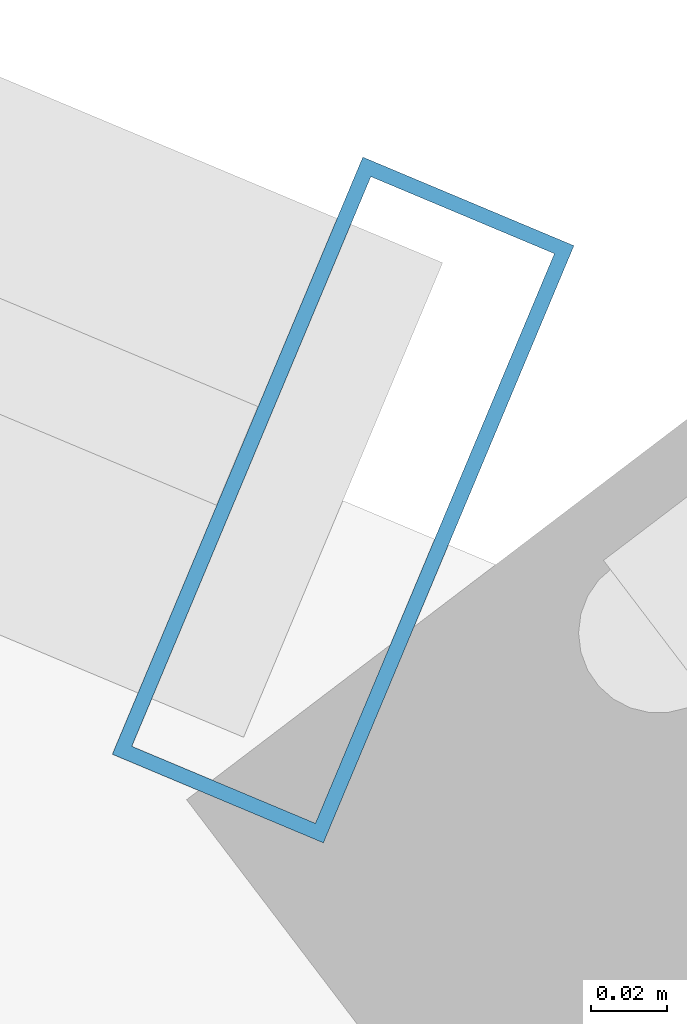
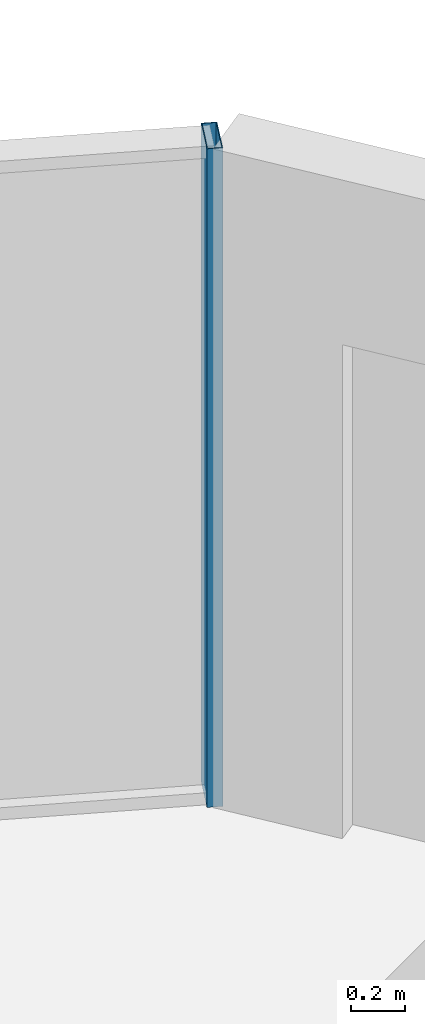
# One storey, part 27 of 33: 1 member, 1 element without a shape of its own.
"""IFC4 building model written with IfcOpenShell, lengths in metres."""

import ifcopenshell
import ifcopenshell.guid

model = None  # the IFC model being written
_history = None  # IfcOwnerHistory: only IFC2X3 demands one
_inside = {}  # id of a spatial element -> (the spatial element, [elements in it])
_under = {}  # id of a project, library or spatial element -> (it, [spatial elements below it])
_declared = {}  # id of a project -> (the project, [libraries it declares])
_typed = {}  # id of a type object -> (the type object, [elements of that type])
_made_of = {}  # id of a material, layer set ... -> (it, [elements and type objects made of it])


def new_model(schema):
    """Start an empty IFC model of exactly this schema.

    Asked for "IFC4X3", IfcOpenShell would pick the latest addendum, in which some entities
    have other attributes; the version numbers below select the first issue.
    IFC2X3 requires an IfcOwnerHistory on every rooted entity: one is made here for all.
    """
    global model, _history
    if schema == "IFC4X3":
        model = ifcopenshell.file(schema_version=(4, 3, 0, 0))
    else:
        model = ifcopenshell.file(schema=schema)
    _inside.clear()
    _under.clear()
    _declared.clear()
    _typed.clear()
    _made_of.clear()
    _history = None
    if model.schema == "IFC2X3":
        org = make("IfcOrganization", Name="unknown")
        user = make(
            "IfcPersonAndOrganization",
            ThePerson=make("IfcPerson", FamilyName="unknown"),
            TheOrganization=org,
        )
        app = make(
            "IfcApplication",
            ApplicationDeveloper=org,
            Version="unknown",
            ApplicationFullName="unknown",
            ApplicationIdentifier="unknown",
        )
        _history = make(
            "IfcOwnerHistory",
            OwningUser=user,
            OwningApplication=app,
            ChangeAction="ADDED",
            CreationDate=0,
        )
    return model


def make(cls, **values):
    """One entity of the class cls with the attributes given. An attribute that is None is left unset."""
    return model.create_entity(
        cls, **{name: value for name, value in values.items() if value is not None}
    )


def rooted(cls, **values):
    """An entity with a GlobalId (a new one), such as an element, a storey or a relation."""
    return make(cls, GlobalId=ifcopenshell.guid.new(), OwnerHistory=_history, **values)


def si_unit(unit_type, name, prefix=None):
    """IfcSIUnit, for example si_unit("LENGTHUNIT", "METRE", prefix="MILLI")."""
    return make("IfcSIUnit", UnitType=unit_type, Prefix=prefix, Name=name)


def assignment(units):
    """IfcUnitAssignment: the units of a project."""
    return None if units is None else make("IfcUnitAssignment", Units=units)


def point(xyz):
    """IfcCartesianPoint."""
    return None if xyz is None else make("IfcCartesianPoint", Coordinates=xyz)


def direction(xyz):
    """IfcDirection."""
    return None if xyz is None else make("IfcDirection", DirectionRatios=xyz)


def frame(location, z_axis=None, x_axis=None):
    """IfcAxis2Placement3D, a coordinate frame: its origin and axes. An axis left out is left unset."""
    return make(
        "IfcAxis2Placement3D",
        Location=point(location),
        Axis=direction(z_axis),
        RefDirection=direction(x_axis),
    )


def frame_2d(location, x_axis=None):
    """IfcAxis2Placement2D, a coordinate frame in the plane: its origin and x axis."""
    return make(
        "IfcAxis2Placement2D", Location=point(location), RefDirection=direction(x_axis)
    )


def origin():
    """The frame at (0, 0, 0) with its axes left unset."""
    return frame((0.0, 0.0, 0.0))


def origin_2d():
    """The frame at (0, 0) in the plane with its x axis left unset."""
    return frame_2d((0.0, 0.0))


def place(relative_to, where):
    """IfcLocalPlacement: puts the frame where relative to a parent placement (None: the world)."""
    return make(
        "IfcLocalPlacement", PlacementRelTo=relative_to, RelativePlacement=where
    )


def context(
    kind, dimensions, precision=None, world=None, true_north=None, identifier=None
):
    """IfcGeometricRepresentationContext, for example the 3D "Model" context."""
    return make(
        "IfcGeometricRepresentationContext",
        ContextIdentifier=identifier,
        ContextType=kind,
        CoordinateSpaceDimension=dimensions,
        Precision=precision,
        WorldCoordinateSystem=world,
        TrueNorth=true_north,
    )


def subcontext(parent, identifier, kind, view, scale=None):
    """IfcGeometricRepresentationSubContext, for example "Body" below "Model"."""
    return make(
        "IfcGeometricRepresentationSubContext",
        ContextIdentifier=identifier,
        ContextType=kind,
        ParentContext=parent,
        TargetScale=scale,
        TargetView=view,
    )


def project(units=None, contexts=None):
    """IfcProject with its units and contexts."""
    return rooted(
        "IfcProject",
        Name="project",
        RepresentationContexts=contexts,
        UnitsInContext=assignment(units),
    )


def spatial(cls, under=None, at=None, **own):
    """A site, building, storey or space (cls), placed at a placement, below another one or the project."""
    s = rooted(cls, ObjectPlacement=at, **own)
    if under is not None:
        _under.setdefault(under.id(), (under, []))[1].append(s)
    return s


def profile(cls, at=None, kind="AREA", **sizes):
    """A parametric profile (cls). Its sizes go by their IFC names, for example OverallWidth=200.0."""
    return make(cls, ProfileType=kind, Position=at, **sizes)


def hollow_rectangle(**sizes):
    """IfcRectangleHollowProfileDef."""
    return profile("IfcRectangleHollowProfileDef", **sizes)


def extrude(swept, where, along, depth):
    """IfcExtrudedAreaSolid: the profile swept, set in the frame where, extruded along a direction by depth."""
    return make(
        "IfcExtrudedAreaSolid",
        SweptArea=swept,
        Position=where,
        ExtrudedDirection=direction(along),
        Depth=depth,
    )


def shape(context_of_items, identifier, shape_type, items):
    """IfcShapeRepresentation: the items that make up one representation, for example the "Body"."""
    return make(
        "IfcShapeRepresentation",
        ContextOfItems=context_of_items,
        RepresentationIdentifier=identifier,
        RepresentationType=shape_type,
        Items=items,
    )


def source(mapping_origin, context_of_items, identifier, shape_type, items):
    """IfcRepresentationMap: a shape defined once, which mapped items show again and again."""
    return make(
        "IfcRepresentationMap",
        MappingOrigin=mapping_origin,
        MappedRepresentation=shape(context_of_items, identifier, shape_type, items),
    )


def transform(
    local_origin,
    x_axis=None,
    y_axis=None,
    z_axis=None,
    scale=None,
    scale2=None,
    scale3=None,
    uniform=True,
):
    """IfcCartesianTransformationOperator3D, or its non-uniform kind. x_axis, y_axis, z_axis: its Axis1, 2, 3."""
    if uniform:
        return make(
            "IfcCartesianTransformationOperator3D",
            Axis1=direction(x_axis),
            Axis2=direction(y_axis),
            LocalOrigin=point(local_origin),
            Scale=scale,
            Axis3=direction(z_axis),
        )
    return make(
        "IfcCartesianTransformationOperator3DnonUniform",
        Axis1=direction(x_axis),
        Axis2=direction(y_axis),
        LocalOrigin=point(local_origin),
        Scale=scale,
        Axis3=direction(z_axis),
        Scale2=scale2,
        Scale3=scale3,
    )


def mapped(mapping_source, mapping_target):
    """IfcMappedItem: shows the shape of a source again, moved by a transform."""
    return make(
        "IfcMappedItem", MappingSource=mapping_source, MappingTarget=mapping_target
    )


def material(Name=None, Category=None):
    """IfcMaterial."""
    return make("IfcMaterial", Name=Name, Category=Category)


def layer(
    of_material, thickness, ventilated=None, Name=None, Category=None, Priority=None
):
    """IfcMaterialLayer: one layer of a wall or slab, of a material (None: an air gap)."""
    return make(
        "IfcMaterialLayer",
        Material=of_material,
        LayerThickness=thickness,
        IsVentilated=ventilated,
        Name=Name,
        Category=Category,
        Priority=Priority,
    )


def layer_set(layers, Name=None):
    """IfcMaterialLayerSet."""
    return make("IfcMaterialLayerSet", MaterialLayers=layers, LayerSetName=Name)


def material_profile(
    of_material, cross_section, Name=None, Category=None, Priority=None
):
    """IfcMaterialProfile: a cross section and its material."""
    return make(
        "IfcMaterialProfile",
        Name=Name,
        Material=of_material,
        Profile=cross_section,
        Priority=Priority,
        Category=Category,
    )


def profile_set(profiles, Name=None, composite=None):
    """IfcMaterialProfileSet."""
    return make(
        "IfcMaterialProfileSet",
        Name=Name,
        MaterialProfiles=profiles,
        CompositeProfile=composite,
    )


def made_of(thing, what):
    """Note that an element or type object is made of a material, layer set ...; save() writes the relation."""
    if what is not None:
        _made_of.setdefault(what.id(), (what, []))[1].append(thing)
    return thing


def type_object(cls, material=None, **own):
    """A type object (cls), such as IfcWallType, which elements share."""
    return made_of(rooted(cls, **own), material)


def element(
    cls,
    number,
    at=None,
    inside=None,
    cuts=None,
    type_object=None,
    material=None,
    context=None,
    identifier="Body",
    shape_type=None,
    held_by="IfcProductDefinitionShape",
    body=None,
    shapes=None,
    **own,
):
    """One element of the class cls, such as IfcWall. Its Tag is "e" and its number.

    at: its placement. inside: the storey or other place that contains it. cuts: it is an
    opening in that element (IfcRelVoidsElement). A single representation is given by context,
    identifier, shape_type and body (its items); several are given by shapes. held_by: the class
    of the entity that holds the representations. save() writes the other relations.
    """
    e = rooted(cls, Tag="e%d" % number, ObjectPlacement=at, **own)
    if body is not None:
        shapes = [shape(context, identifier, shape_type, body)]
    if shapes is not None:
        e.Representation = make(held_by, Representations=shapes)
    if inside is not None:
        _inside.setdefault(inside.id(), (inside, []))[1].append(e)
    if cuts is not None:
        rooted(
            "IfcRelVoidsElement", RelatingBuildingElement=cuts, RelatedOpeningElement=e
        )
    if type_object is not None:
        _typed.setdefault(type_object.id(), (type_object, []))[1].append(e)
    return made_of(e, material)


def aggregate(whole, parts):
    """IfcRelAggregates: a whole, such as a stair, and the parts it consists of."""
    return rooted("IfcRelAggregates", RelatingObject=whole, RelatedObjects=parts)


def save(model, path):
    """Write the relations noted so far, then the file.

    IfcRelAggregates (storeys below a building ...), IfcRelContainedInSpatialStructure (elements
    in a storey), IfcRelDefinesByType, IfcRelAssociatesMaterial and IfcRelDeclares: one each for
    every whole, place, type object, material and project.
    """
    for whole, parts in _under.values():
        aggregate(whole, parts)
    for where, things in _inside.values():
        rooted(
            "IfcRelContainedInSpatialStructure",
            RelatedElements=things,
            RelatingStructure=where,
        )
    for kind, things in _typed.values():
        rooted("IfcRelDefinesByType", RelatedObjects=things, RelatingType=kind)
    for what, things in _made_of.values():
        rooted("IfcRelAssociatesMaterial", RelatedObjects=things, RelatingMaterial=what)
    for by, libraries in _declared.values():
        rooted("IfcRelDeclares", RelatingContext=by, RelatedDefinitions=libraries)
    model.write(path)


model = new_model("IFC4")

# Units and contexts
model_context = context("Model", 3, precision=1e-05, world=origin(), true_north=direction((0.0, 1.0)))
body_context = subcontext(model_context, "Body", "Model", "MODEL_VIEW")
ifc_project = project(units=[si_unit("LENGTHUNIT", "METRE"), si_unit("AREAUNIT", "SQUARE_METRE"), si_unit("VOLUMEUNIT", "CUBIC_METRE"), si_unit("PLANEANGLEUNIT", "RADIAN"), si_unit("MASSUNIT", "GRAM", prefix="KILO")], contexts=[model_context])

# Site, building, storey
site_placement = place(None, origin())
site = spatial("IfcSite", under=ifc_project, at=site_placement, CompositionType="ELEMENT")
building_placement = place(site_placement, origin())
building = spatial("IfcBuilding", under=site, at=building_placement, Name="Veraguas Prism Commons", CompositionType="ELEMENT")
storey_placement = place(building_placement, frame((0.0, 0.0, 152.25)))
storey = spatial("IfcBuildingStorey", under=building, at=storey_placement, Name="L43", CompositionType="ELEMENT", Elevation=152.25)

# Curtain wall, member
ifc_material = material(Name="Anodised aluminium EN AW-6063 T6", Category="aluminium")
ifc_layer = layer(ifc_material, 0.169921875, Name="Unitised Flush Curtain Wall Zone 2", Category="aluminium")
ifc_layer_set = layer_set([ifc_layer], Name="Anodised aluminium EN AW-6063 T6")
curtain_wall_type = type_object("IfcCurtainWallType", Name="Unitised Flush Curtain Wall Zone 2", PredefinedType="NOTDEFINED", material=ifc_layer_set)
curtain_wall_placement = place(storey_placement, origin())
curtain_wall = element("IfcCurtainWall", 1, at=curtain_wall_placement, inside=storey, type_object=curtain_wall_type, Name="Tower Facade Curtain Wall L43-F1", PredefinedType="NOTDEFINED")
ifc_material_profile = material_profile(ifc_material, hollow_rectangle(XDim=0.06005859375, YDim=0.169921875, WallThickness=0.00390625, at=origin_2d()), Name="AL60X170X4")
ifc_profile_set = profile_set([ifc_material_profile], Name="Anodised aluminium EN AW-6063 T6")
member_type = type_object("IfcMemberType", Name="Curtain Wall Mullion Lower AL 60x170x4", PredefinedType="MULLION", material=ifc_profile_set)
shared_shape = source(origin(), body_context, "Body", "SweptSolid", [
    extrude(hollow_rectangle(XDim=0.06005859375, YDim=0.169921875, WallThickness=0.00390625, at=origin_2d()), origin(), (0.0, 0.0, 1.0), 3.0),
])
member_placement = place(storey_placement, frame((39.33984375, 38.36669921875, 0.0), z_axis=(0.0, 0.0, 1.0), x_axis=(-0.922132113386, 0.38687512903, 0.0)))
member = element("IfcMember", 2, at=member_placement, type_object=member_type, Name="CW-Z2 Mullion 1", PredefinedType="MULLION", context=body_context, shape_type="MappedRepresentation", body=[
    mapped(shared_shape, transform((0.0, 0.0, 0.0), scale=1.0)),
])
aggregate(curtain_wall, [member])

save(model, "model.ifc")
